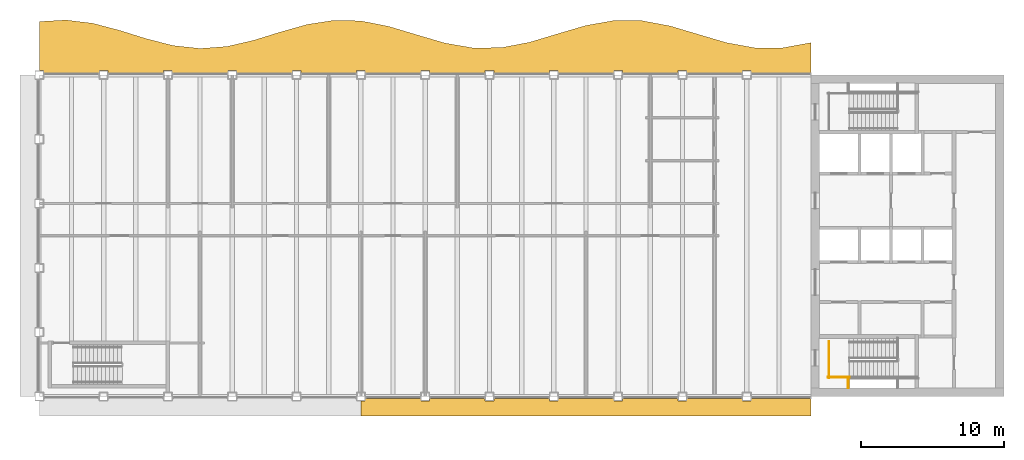
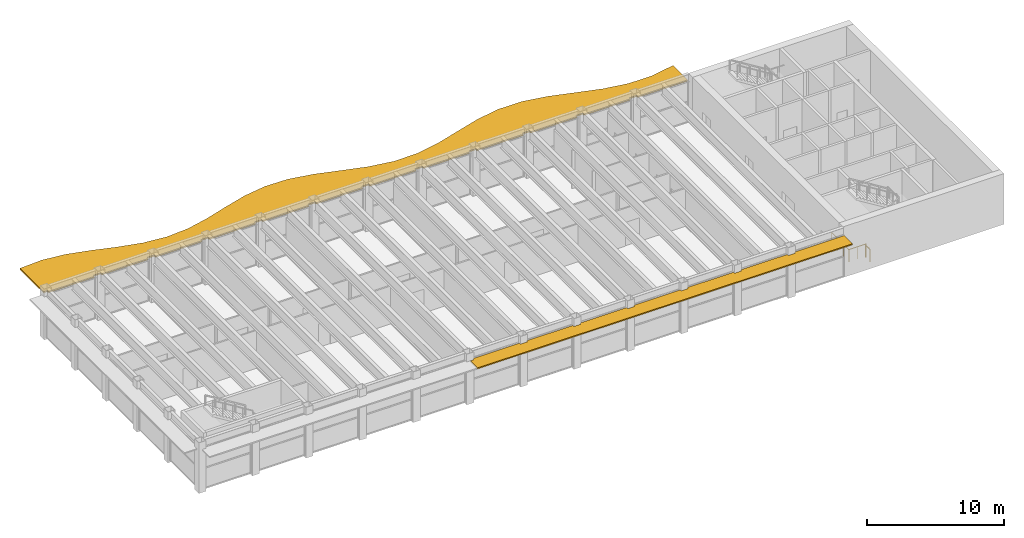
# One storey, part 14 of 15: 3 railings, 2 shading devices.
"""IFC4 building model written with IfcOpenShell, lengths in metres."""

import ifcopenshell
import ifcopenshell.guid

model = None  # the IFC model being written
_history = None  # IfcOwnerHistory: only IFC2X3 demands one
_inside = {}  # id of a spatial element -> (the spatial element, [elements in it])
_under = {}  # id of a project, library or spatial element -> (it, [spatial elements below it])
_declared = {}  # id of a project -> (the project, [libraries it declares])
_typed = {}  # id of a type object -> (the type object, [elements of that type])
_made_of = {}  # id of a material, layer set ... -> (it, [elements and type objects made of it])


def new_model(schema):
    """Start an empty IFC model of exactly this schema.

    Asked for "IFC4X3", IfcOpenShell would pick the latest addendum, in which some entities
    have other attributes; the version numbers below select the first issue.
    IFC2X3 requires an IfcOwnerHistory on every rooted entity: one is made here for all.
    """
    global model, _history
    if schema == "IFC4X3":
        model = ifcopenshell.file(schema_version=(4, 3, 0, 0))
    else:
        model = ifcopenshell.file(schema=schema)
    _inside.clear()
    _under.clear()
    _declared.clear()
    _typed.clear()
    _made_of.clear()
    _history = None
    if model.schema == "IFC2X3":
        org = make("IfcOrganization", Name="unknown")
        user = make(
            "IfcPersonAndOrganization",
            ThePerson=make("IfcPerson", FamilyName="unknown"),
            TheOrganization=org,
        )
        app = make(
            "IfcApplication",
            ApplicationDeveloper=org,
            Version="unknown",
            ApplicationFullName="unknown",
            ApplicationIdentifier="unknown",
        )
        _history = make(
            "IfcOwnerHistory",
            OwningUser=user,
            OwningApplication=app,
            ChangeAction="ADDED",
            CreationDate=0,
        )
    return model


def make(cls, **values):
    """One entity of the class cls with the attributes given. An attribute that is None is left unset."""
    return model.create_entity(
        cls, **{name: value for name, value in values.items() if value is not None}
    )


def rooted(cls, **values):
    """An entity with a GlobalId (a new one), such as an element, a storey or a relation."""
    return make(cls, GlobalId=ifcopenshell.guid.new(), OwnerHistory=_history, **values)


def si_unit(unit_type, name, prefix=None):
    """IfcSIUnit, for example si_unit("LENGTHUNIT", "METRE", prefix="MILLI")."""
    return make("IfcSIUnit", UnitType=unit_type, Prefix=prefix, Name=name)


def assignment(units):
    """IfcUnitAssignment: the units of a project."""
    return None if units is None else make("IfcUnitAssignment", Units=units)


def point(xyz):
    """IfcCartesianPoint."""
    return None if xyz is None else make("IfcCartesianPoint", Coordinates=xyz)


def direction(xyz):
    """IfcDirection."""
    return None if xyz is None else make("IfcDirection", DirectionRatios=xyz)


def frame(location, z_axis=None, x_axis=None):
    """IfcAxis2Placement3D, a coordinate frame: its origin and axes. An axis left out is left unset."""
    return make(
        "IfcAxis2Placement3D",
        Location=point(location),
        Axis=direction(z_axis),
        RefDirection=direction(x_axis),
    )


def frame_2d(location, x_axis=None):
    """IfcAxis2Placement2D, a coordinate frame in the plane: its origin and x axis."""
    return make(
        "IfcAxis2Placement2D", Location=point(location), RefDirection=direction(x_axis)
    )


def origin():
    """The frame at (0, 0, 0) with its axes left unset."""
    return frame((0.0, 0.0, 0.0))


def origin_2d():
    """The frame at (0, 0) in the plane with its x axis left unset."""
    return frame_2d((0.0, 0.0))


def place(relative_to, where):
    """IfcLocalPlacement: puts the frame where relative to a parent placement (None: the world)."""
    return make(
        "IfcLocalPlacement", PlacementRelTo=relative_to, RelativePlacement=where
    )


def context(
    kind, dimensions, precision=None, world=None, true_north=None, identifier=None
):
    """IfcGeometricRepresentationContext, for example the 3D "Model" context."""
    return make(
        "IfcGeometricRepresentationContext",
        ContextIdentifier=identifier,
        ContextType=kind,
        CoordinateSpaceDimension=dimensions,
        Precision=precision,
        WorldCoordinateSystem=world,
        TrueNorth=true_north,
    )


def subcontext(parent, identifier, kind, view, scale=None):
    """IfcGeometricRepresentationSubContext, for example "Body" below "Model"."""
    return make(
        "IfcGeometricRepresentationSubContext",
        ContextIdentifier=identifier,
        ContextType=kind,
        ParentContext=parent,
        TargetScale=scale,
        TargetView=view,
    )


def project(units=None, contexts=None):
    """IfcProject with its units and contexts."""
    return rooted(
        "IfcProject",
        Name="project",
        RepresentationContexts=contexts,
        UnitsInContext=assignment(units),
    )


def spatial(cls, under=None, at=None, **own):
    """A site, building, storey or space (cls), placed at a placement, below another one or the project."""
    s = rooted(cls, ObjectPlacement=at, **own)
    if under is not None:
        _under.setdefault(under.id(), (under, []))[1].append(s)
    return s


def polyline(points):
    """IfcPolyline through the points."""
    return make("IfcPolyline", Points=[point(p) for p in points])


def profile(cls, at=None, kind="AREA", **sizes):
    """A parametric profile (cls). Its sizes go by their IFC names, for example OverallWidth=200.0."""
    return make(cls, ProfileType=kind, Position=at, **sizes)


def rectangle(**sizes):
    """IfcRectangleProfileDef."""
    return profile("IfcRectangleProfileDef", **sizes)


def outline(outer, holes=None, kind="AREA"):
    """IfcArbitraryClosedProfileDef: a profile drawn as a closed curve; with holes, ...WithVoids."""
    if holes is None:
        return make("IfcArbitraryClosedProfileDef", ProfileType=kind, OuterCurve=outer)
    return make(
        "IfcArbitraryProfileDefWithVoids",
        ProfileType=kind,
        OuterCurve=outer,
        InnerCurves=holes,
    )


def extrude(swept, where, along, depth):
    """IfcExtrudedAreaSolid: the profile swept, set in the frame where, extruded along a direction by depth."""
    return make(
        "IfcExtrudedAreaSolid",
        SweptArea=swept,
        Position=where,
        ExtrudedDirection=direction(along),
        Depth=depth,
    )


def shape(context_of_items, identifier, shape_type, items):
    """IfcShapeRepresentation: the items that make up one representation, for example the "Body"."""
    return make(
        "IfcShapeRepresentation",
        ContextOfItems=context_of_items,
        RepresentationIdentifier=identifier,
        RepresentationType=shape_type,
        Items=items,
    )


def material(Name=None, Category=None):
    """IfcMaterial."""
    return make("IfcMaterial", Name=Name, Category=Category)


def layer(
    of_material, thickness, ventilated=None, Name=None, Category=None, Priority=None
):
    """IfcMaterialLayer: one layer of a wall or slab, of a material (None: an air gap)."""
    return make(
        "IfcMaterialLayer",
        Material=of_material,
        LayerThickness=thickness,
        IsVentilated=ventilated,
        Name=Name,
        Category=Category,
        Priority=Priority,
    )


def layer_set(layers, Name=None):
    """IfcMaterialLayerSet."""
    return make("IfcMaterialLayerSet", MaterialLayers=layers, LayerSetName=Name)


def made_of(thing, what):
    """Note that an element or type object is made of a material, layer set ...; save() writes the relation."""
    if what is not None:
        _made_of.setdefault(what.id(), (what, []))[1].append(thing)
    return thing


def type_object(cls, material=None, **own):
    """A type object (cls), such as IfcWallType, which elements share."""
    return made_of(rooted(cls, **own), material)


def element(
    cls,
    number,
    at=None,
    inside=None,
    cuts=None,
    type_object=None,
    material=None,
    context=None,
    identifier="Body",
    shape_type=None,
    held_by="IfcProductDefinitionShape",
    body=None,
    shapes=None,
    **own,
):
    """One element of the class cls, such as IfcWall. Its Tag is "e" and its number.

    at: its placement. inside: the storey or other place that contains it. cuts: it is an
    opening in that element (IfcRelVoidsElement). A single representation is given by context,
    identifier, shape_type and body (its items); several are given by shapes. held_by: the class
    of the entity that holds the representations. save() writes the other relations.
    """
    e = rooted(cls, Tag="e%d" % number, ObjectPlacement=at, **own)
    if body is not None:
        shapes = [shape(context, identifier, shape_type, body)]
    if shapes is not None:
        e.Representation = make(held_by, Representations=shapes)
    if inside is not None:
        _inside.setdefault(inside.id(), (inside, []))[1].append(e)
    if cuts is not None:
        rooted(
            "IfcRelVoidsElement", RelatingBuildingElement=cuts, RelatedOpeningElement=e
        )
    if type_object is not None:
        _typed.setdefault(type_object.id(), (type_object, []))[1].append(e)
    return made_of(e, material)


def aggregate(whole, parts):
    """IfcRelAggregates: a whole, such as a stair, and the parts it consists of."""
    return rooted("IfcRelAggregates", RelatingObject=whole, RelatedObjects=parts)


def save(model, path):
    """Write the relations noted so far, then the file.

    IfcRelAggregates (storeys below a building ...), IfcRelContainedInSpatialStructure (elements
    in a storey), IfcRelDefinesByType, IfcRelAssociatesMaterial and IfcRelDeclares: one each for
    every whole, place, type object, material and project.
    """
    for whole, parts in _under.values():
        aggregate(whole, parts)
    for where, things in _inside.values():
        rooted(
            "IfcRelContainedInSpatialStructure",
            RelatedElements=things,
            RelatingStructure=where,
        )
    for kind, things in _typed.values():
        rooted("IfcRelDefinesByType", RelatedObjects=things, RelatingType=kind)
    for what, things in _made_of.values():
        rooted("IfcRelAssociatesMaterial", RelatedObjects=things, RelatingMaterial=what)
    for by, libraries in _declared.values():
        rooted("IfcRelDeclares", RelatingContext=by, RelatedDefinitions=libraries)
    model.write(path)


model = new_model("IFC4")

# Units and contexts
model_context = context("Model", 3, precision=1e-05, world=origin(), true_north=direction((0.0, 1.0)))
body_context = subcontext(model_context, "Body", "Model", "MODEL_VIEW")
ifc_project = project(units=[si_unit("LENGTHUNIT", "METRE"), si_unit("AREAUNIT", "SQUARE_METRE"), si_unit("VOLUMEUNIT", "CUBIC_METRE"), si_unit("PLANEANGLEUNIT", "RADIAN"), si_unit("MASSUNIT", "GRAM", prefix="KILO")], contexts=[model_context])

# Site, building, storey
site_placement = place(None, origin())
site = spatial("IfcSite", under=ifc_project, at=site_placement, CompositionType="ELEMENT")
building_placement = place(site_placement, origin())
building = spatial("IfcBuilding", under=site, at=building_placement, Name="Sennacour Bend Tower", CompositionType="ELEMENT")
storey_placement = place(building_placement, frame((0.0, 0.0, 318.5)))
storey = spatial("IfcBuildingStorey", under=building, at=storey_placement, Name="L73", CompositionType="ELEMENT", Elevation=318.5)

# Railings
ifc_material_1 = material(Name="Stainless steel", Category="steel")
railing_type = type_object("IfcRailingType", Name="RL-GUARD-1100", PredefinedType="GUARDRAIL", material=ifc_material_1)
railing_1_placement = place(storey_placement, frame((55.199951171875, 1.35009765625, 0.0)))
element("IfcRailing", 1, at=railing_1_placement, inside=storey, type_object=railing_type, Name="L73 SA1 stair guard 6", PredefinedType="GUARDRAIL", context=body_context, shape_type="SweptSolid", body=[
    extrude(rectangle(XDim=0.048095703125, YDim=0.048095703125, at=origin_2d()), frame((0.0, 0.0, 1.076171875), z_axis=(1.0, 0.0, 0.0), x_axis=(0.0, 1.0, 0.0)), (0.0, 0.0, 1.0), 1.5),
    extrude(rectangle(XDim=0.0419921875, YDim=0.0419921875, at=origin_2d()), origin(), (0.0, 0.0, 1.0), 1.052001953125),
    extrude(rectangle(XDim=0.0419921875, YDim=0.0419921875, at=origin_2d()), frame((0.75, 0.0, 0.0)), (0.0, 0.0, 1.0), 1.052001953125),
    extrude(rectangle(XDim=0.0419921875, YDim=0.0419921875, at=origin_2d()), frame((1.5, 0.0, 0.0)), (0.0, 0.0, 1.0), 1.052001953125),
])
railing_2_placement = place(storey_placement, frame((55.25, 1.300048828125, 0.0)))
element("IfcRailing", 2, at=railing_2_placement, inside=storey, type_object=railing_type, Name="L73 SA1 stair guard 7", PredefinedType="GUARDRAIL", context=body_context, shape_type="SweptSolid", body=[
    extrude(rectangle(XDim=0.048095703125, YDim=0.048095703125, at=origin_2d()), frame((0.0, 0.0, 1.076171875), z_axis=(0.0, 1.0, 0.0), x_axis=(-1.0, 0.0, 0.0)), (0.0, 0.0, 1.0), 2.550048828125),
    extrude(rectangle(XDim=0.0419921875, YDim=0.0419921875, at=origin_2d()), origin(), (0.0, 0.0, 1.0), 1.052001953125),
    extrude(rectangle(XDim=0.0419921875, YDim=0.0419921875, at=origin_2d()), frame((0.0, 0.85009765625, 0.0)), (0.0, 0.0, 1.0), 1.052001953125),
    extrude(rectangle(XDim=0.0419921875, YDim=0.0419921875, at=origin_2d()), frame((0.0, 1.699951171875, 0.0)), (0.0, 0.0, 1.0), 1.052001953125),
    extrude(rectangle(XDim=0.0419921875, YDim=0.0419921875, at=origin_2d()), frame((0.0, 2.550048828125, 0.0)), (0.0, 0.0, 1.0), 1.052001953125),
])
railing_3_placement = place(storey_placement, frame((56.60009765625, 1.25, 0.0)))
element("IfcRailing", 3, at=railing_3_placement, inside=storey, type_object=railing_type, Name="L73 SA1 landing edge guard 160", PredefinedType="GUARDRAIL", context=body_context, shape_type="SweptSolid", body=[
    extrude(rectangle(XDim=0.048095703125, YDim=0.048095703125, at=origin_2d()), frame((0.0, 0.0, 1.076171875), z_axis=(0.0, -1.0, 0.0), x_axis=(1.0, 0.0, 0.0)), (0.0, 0.0, 1.0), 0.64990234375),
    extrude(rectangle(XDim=0.0419921875, YDim=0.0419921875, at=origin_2d()), origin(), (0.0, 0.0, 1.0), 1.052001953125),
    extrude(rectangle(XDim=0.0419921875, YDim=0.0419921875, at=origin_2d()), frame((0.0, -0.64990234375, 0.0)), (0.0, 0.0, 1.0), 1.052001953125),
])

# Shading devices
ifc_material_2 = material(Name="Bronze anodised aluminium", Category="aluminium")
ifc_layer_1 = layer(ifc_material_2, 0.10009765625, Name="Bronze anodised aluminium", Category="aluminium")
ifc_layer_set_1 = layer_set([ifc_layer_1], Name="Bronze anodised aluminium")
shading_device_type_1 = type_object("IfcShadingDeviceType", Name="SUNSHADE BAND STRAIGHT", PredefinedType="USERDEFINED", material=ifc_layer_set_1)
shading_device_1_placement = place(storey_placement, frame((0.0, 0.0, 3.572021484375)))
element("IfcShadingDevice", 4, at=shading_device_1_placement, inside=storey, type_object=shading_device_type_1, Name="Sunshade band L73 A outer face", ObjectType="SUNSHADE", PredefinedType="USERDEFINED", context=body_context, shape_type="SweptSolid", body=[
    extrude(outline(polyline([(26.699951171875, -0.14990234375), (26.699951171875, -0.300048828125), (27.300048828125, -0.300048828125), (27.300048828125, -0.14990234375), (31.199951171875, -0.14990234375), (31.199951171875, -0.300048828125), (31.800048828125, -0.300048828125), (31.800048828125, -0.14990234375), (35.699951171875, -0.14990234375), (35.699951171875, -0.300048828125), (36.300048828125, -0.300048828125), (36.300048828125, -0.14990234375), (40.199951171875, -0.14990234375), (40.199951171875, -0.300048828125), (40.800048828125, -0.300048828125), (40.800048828125, -0.14990234375), (44.699951171875, -0.14990234375), (44.699951171875, -0.300048828125), (45.300048828125, -0.300048828125), (45.300048828125, -0.14990234375), (49.199951171875, -0.14990234375), (49.199951171875, -0.300048828125), (49.800048828125, -0.300048828125), (49.800048828125, -0.14990234375), (54.0, -0.14990234375), (54.0, -1.35009765625), (22.5, -1.35009765625), (22.5, -0.300048828125), (22.800048828125, -0.300048828125), (22.800048828125, -0.14990234375), (26.699951171875, -0.14990234375)])), origin(), (0.0, 0.0, 1.0), 0.10009765625),
])
ifc_layer_2 = layer(ifc_material_2, 0.1201171875, Name="Bronze anodised aluminium", Category="aluminium")
ifc_layer_set_2 = layer_set([ifc_layer_2], Name="Bronze anodised aluminium")
shading_device_type_2 = type_object("IfcShadingDeviceType", Name="SUNSHADE BAND WAVE", PredefinedType="USERDEFINED", material=ifc_layer_set_2)
shading_device_2_placement = place(storey_placement, frame((0.0, 0.0, 3.552001953125)))
element("IfcShadingDevice", 5, at=shading_device_2_placement, inside=storey, type_object=shading_device_type_2, Name="Sunshade band L73 concave faces", ObjectType="SUNSHADE", PredefinedType="USERDEFINED", context=body_context, shape_type="SweptSolid", body=[
    extrude(outline(polyline([(54.0, 22.64990234375), (49.800048828125, 22.64990234375), (49.800048828125, 22.800048828125), (49.199951171875, 22.800048828125), (49.199951171875, 22.64990234375), (45.300048828125, 22.64990234375), (45.300048828125, 22.800048828125), (44.699951171875, 22.800048828125), (44.699951171875, 22.64990234375), (40.800048828125, 22.64990234375), (40.800048828125, 22.800048828125), (40.199951171875, 22.800048828125), (40.199951171875, 22.64990234375), (36.300048828125, 22.64990234375), (36.300048828125, 22.800048828125), (35.699951171875, 22.800048828125), (35.699951171875, 22.64990234375), (31.800048828125, 22.64990234375), (31.800048828125, 22.800048828125), (31.199951171875, 22.800048828125), (31.199951171875, 22.64990234375), (27.300048828125, 22.64990234375), (27.300048828125, 22.800048828125), (26.699951171875, 22.800048828125), (26.699951171875, 22.64990234375), (22.800048828125, 22.64990234375), (22.800048828125, 22.800048828125), (22.199951171875, 22.800048828125), (22.199951171875, 22.64990234375), (18.300048828125, 22.64990234375), (18.300048828125, 22.800048828125), (17.699951171875, 22.800048828125), (17.699951171875, 22.64990234375), (13.800048828125, 22.64990234375), (13.800048828125, 22.800048828125), (13.199951171875, 22.800048828125), (13.199951171875, 22.64990234375), (9.300048828125, 22.64990234375), (9.300048828125, 22.800048828125), (8.699951171875, 22.800048828125), (8.699951171875, 22.64990234375), (4.800048828125, 22.64990234375), (4.800048828125, 22.800048828125), (4.199951171875, 22.800048828125), (4.199951171875, 22.64990234375), (0.300048828125, 22.64990234375), (0.300048828125, 22.800048828125), (0.0, 22.800048828125), (0.0, 26.234375), (1.875, 26.343994140625), (3.75, 26.11181640625), (5.625, 25.617919921875), (7.5, 25.031982421875), (9.375, 24.55517578125), (11.25, 24.3515625), (13.125, 24.4912109375), (15.0, 24.92578125), (16.875, 25.50634765625), (18.75, 26.033203125), (20.625, 26.3251953125), (22.5, 26.281982421875), (24.46875, 25.8935546875), (26.4375, 25.300048828125), (28.40625, 24.725341796875), (30.375, 24.38671875), (32.34375, 24.411865234375), (34.3125, 24.79150390625), (36.28125, 25.382080078125), (38.25, 25.960693359375), (40.21875, 26.30859375), (42.1875, 26.294189453125), (44.15625, 25.92333984375), (46.125, 25.335693359375), (48.09375, 24.753662109375), (50.0625, 24.396728515625), (52.03125, 24.400146484375), (54.0, 24.76220703125), (54.0, 22.64990234375)])), origin(), (0.0, 0.0, 1.0), 0.1201171875),
])

save(model, "model.ifc")
